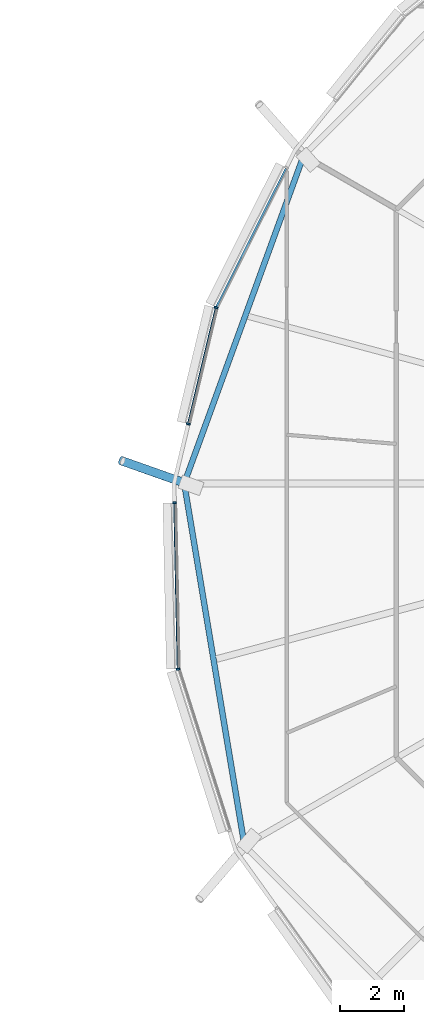
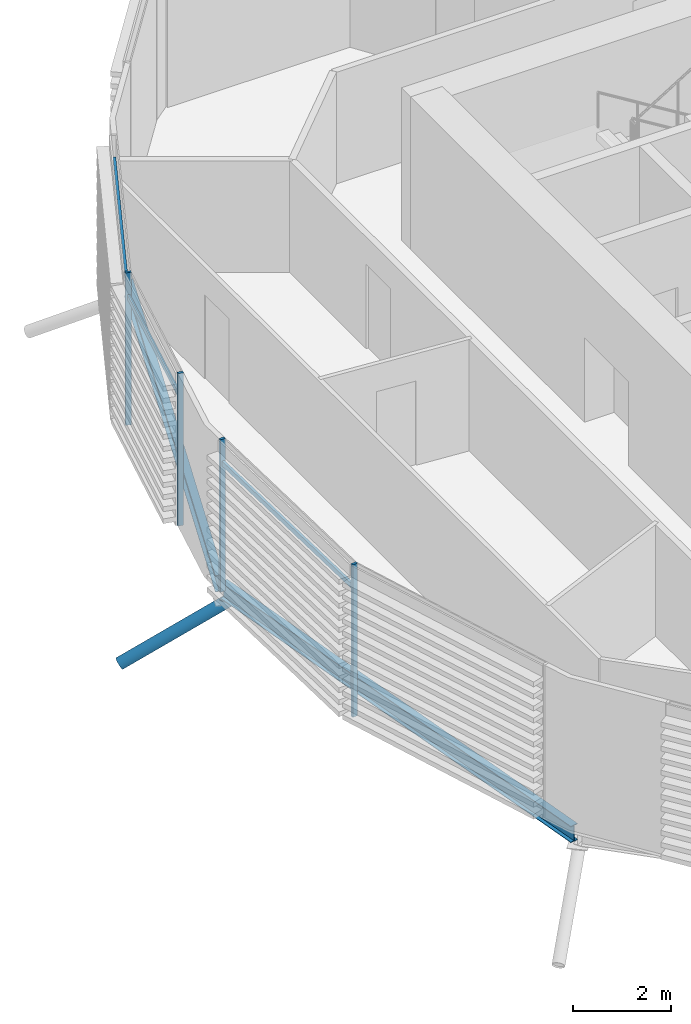
# One storey, part 9 of 38: 8 members, 2 beams, 1 element without a shape of its own.
"""IFC4 building model written with IfcOpenShell, lengths in metres."""

import ifcopenshell
import ifcopenshell.guid

model = None  # the IFC model being written
_history = None  # IfcOwnerHistory: only IFC2X3 demands one
_inside = {}  # id of a spatial element -> (the spatial element, [elements in it])
_under = {}  # id of a project, library or spatial element -> (it, [spatial elements below it])
_declared = {}  # id of a project -> (the project, [libraries it declares])
_typed = {}  # id of a type object -> (the type object, [elements of that type])
_made_of = {}  # id of a material, layer set ... -> (it, [elements and type objects made of it])


def new_model(schema):
    """Start an empty IFC model of exactly this schema.

    Asked for "IFC4X3", IfcOpenShell would pick the latest addendum, in which some entities
    have other attributes; the version numbers below select the first issue.
    IFC2X3 requires an IfcOwnerHistory on every rooted entity: one is made here for all.
    """
    global model, _history
    if schema == "IFC4X3":
        model = ifcopenshell.file(schema_version=(4, 3, 0, 0))
    else:
        model = ifcopenshell.file(schema=schema)
    _inside.clear()
    _under.clear()
    _declared.clear()
    _typed.clear()
    _made_of.clear()
    _history = None
    if model.schema == "IFC2X3":
        org = make("IfcOrganization", Name="unknown")
        user = make(
            "IfcPersonAndOrganization",
            ThePerson=make("IfcPerson", FamilyName="unknown"),
            TheOrganization=org,
        )
        app = make(
            "IfcApplication",
            ApplicationDeveloper=org,
            Version="unknown",
            ApplicationFullName="unknown",
            ApplicationIdentifier="unknown",
        )
        _history = make(
            "IfcOwnerHistory",
            OwningUser=user,
            OwningApplication=app,
            ChangeAction="ADDED",
            CreationDate=0,
        )
    return model


def make(cls, **values):
    """One entity of the class cls with the attributes given. An attribute that is None is left unset."""
    return model.create_entity(
        cls, **{name: value for name, value in values.items() if value is not None}
    )


def rooted(cls, **values):
    """An entity with a GlobalId (a new one), such as an element, a storey or a relation."""
    return make(cls, GlobalId=ifcopenshell.guid.new(), OwnerHistory=_history, **values)


def si_unit(unit_type, name, prefix=None):
    """IfcSIUnit, for example si_unit("LENGTHUNIT", "METRE", prefix="MILLI")."""
    return make("IfcSIUnit", UnitType=unit_type, Prefix=prefix, Name=name)


def assignment(units):
    """IfcUnitAssignment: the units of a project."""
    return None if units is None else make("IfcUnitAssignment", Units=units)


def point(xyz):
    """IfcCartesianPoint."""
    return None if xyz is None else make("IfcCartesianPoint", Coordinates=xyz)


def direction(xyz):
    """IfcDirection."""
    return None if xyz is None else make("IfcDirection", DirectionRatios=xyz)


def frame(location, z_axis=None, x_axis=None):
    """IfcAxis2Placement3D, a coordinate frame: its origin and axes. An axis left out is left unset."""
    return make(
        "IfcAxis2Placement3D",
        Location=point(location),
        Axis=direction(z_axis),
        RefDirection=direction(x_axis),
    )


def frame_2d(location, x_axis=None):
    """IfcAxis2Placement2D, a coordinate frame in the plane: its origin and x axis."""
    return make(
        "IfcAxis2Placement2D", Location=point(location), RefDirection=direction(x_axis)
    )


def origin():
    """The frame at (0, 0, 0) with its axes left unset."""
    return frame((0.0, 0.0, 0.0))


def origin_2d():
    """The frame at (0, 0) in the plane with its x axis left unset."""
    return frame_2d((0.0, 0.0))


def place(relative_to, where):
    """IfcLocalPlacement: puts the frame where relative to a parent placement (None: the world)."""
    return make(
        "IfcLocalPlacement", PlacementRelTo=relative_to, RelativePlacement=where
    )


def context(
    kind, dimensions, precision=None, world=None, true_north=None, identifier=None
):
    """IfcGeometricRepresentationContext, for example the 3D "Model" context."""
    return make(
        "IfcGeometricRepresentationContext",
        ContextIdentifier=identifier,
        ContextType=kind,
        CoordinateSpaceDimension=dimensions,
        Precision=precision,
        WorldCoordinateSystem=world,
        TrueNorth=true_north,
    )


def subcontext(parent, identifier, kind, view, scale=None):
    """IfcGeometricRepresentationSubContext, for example "Body" below "Model"."""
    return make(
        "IfcGeometricRepresentationSubContext",
        ContextIdentifier=identifier,
        ContextType=kind,
        ParentContext=parent,
        TargetScale=scale,
        TargetView=view,
    )


def project(units=None, contexts=None):
    """IfcProject with its units and contexts."""
    return rooted(
        "IfcProject",
        Name="project",
        RepresentationContexts=contexts,
        UnitsInContext=assignment(units),
    )


def spatial(cls, under=None, at=None, **own):
    """A site, building, storey or space (cls), placed at a placement, below another one or the project."""
    s = rooted(cls, ObjectPlacement=at, **own)
    if under is not None:
        _under.setdefault(under.id(), (under, []))[1].append(s)
    return s


def profile(cls, at=None, kind="AREA", **sizes):
    """A parametric profile (cls). Its sizes go by their IFC names, for example OverallWidth=200.0."""
    return make(cls, ProfileType=kind, Position=at, **sizes)


def rectangle(**sizes):
    """IfcRectangleProfileDef."""
    return profile("IfcRectangleProfileDef", **sizes)


def hollow_circle(**sizes):
    """IfcCircleHollowProfileDef."""
    return profile("IfcCircleHollowProfileDef", **sizes)


def i_section(**sizes):
    """IfcIShapeProfileDef."""
    return profile("IfcIShapeProfileDef", **sizes)


def extrude(swept, where, along, depth):
    """IfcExtrudedAreaSolid: the profile swept, set in the frame where, extruded along a direction by depth."""
    return make(
        "IfcExtrudedAreaSolid",
        SweptArea=swept,
        Position=where,
        ExtrudedDirection=direction(along),
        Depth=depth,
    )


def clip(a, b, op="DIFFERENCE"):
    """IfcBooleanClippingResult: the solid a cut by the half space b."""
    return make(
        "IfcBooleanClippingResult", Operator=op, FirstOperand=a, SecondOperand=b
    )


def halfspace(plane, agree):
    """IfcHalfSpaceSolid: all space on one side of the plane z = 0 of the frame plane."""
    return make(
        "IfcHalfSpaceSolid",
        BaseSurface=make("IfcPlane", Position=plane),
        AgreementFlag=agree,
    )


def shape(context_of_items, identifier, shape_type, items):
    """IfcShapeRepresentation: the items that make up one representation, for example the "Body"."""
    return make(
        "IfcShapeRepresentation",
        ContextOfItems=context_of_items,
        RepresentationIdentifier=identifier,
        RepresentationType=shape_type,
        Items=items,
    )


def material(Name=None, Category=None):
    """IfcMaterial."""
    return make("IfcMaterial", Name=Name, Category=Category)


def material_profile(
    of_material, cross_section, Name=None, Category=None, Priority=None
):
    """IfcMaterialProfile: a cross section and its material."""
    return make(
        "IfcMaterialProfile",
        Name=Name,
        Material=of_material,
        Profile=cross_section,
        Priority=Priority,
        Category=Category,
    )


def profile_set(profiles, Name=None, composite=None):
    """IfcMaterialProfileSet."""
    return make(
        "IfcMaterialProfileSet",
        Name=Name,
        MaterialProfiles=profiles,
        CompositeProfile=composite,
    )


def made_of(thing, what):
    """Note that an element or type object is made of a material, layer set ...; save() writes the relation."""
    if what is not None:
        _made_of.setdefault(what.id(), (what, []))[1].append(thing)
    return thing


def type_object(cls, material=None, **own):
    """A type object (cls), such as IfcWallType, which elements share."""
    return made_of(rooted(cls, **own), material)


def element(
    cls,
    number,
    at=None,
    inside=None,
    cuts=None,
    type_object=None,
    material=None,
    context=None,
    identifier="Body",
    shape_type=None,
    held_by="IfcProductDefinitionShape",
    body=None,
    shapes=None,
    **own,
):
    """One element of the class cls, such as IfcWall. Its Tag is "e" and its number.

    at: its placement. inside: the storey or other place that contains it. cuts: it is an
    opening in that element (IfcRelVoidsElement). A single representation is given by context,
    identifier, shape_type and body (its items); several are given by shapes. held_by: the class
    of the entity that holds the representations. save() writes the other relations.
    """
    e = rooted(cls, Tag="e%d" % number, ObjectPlacement=at, **own)
    if body is not None:
        shapes = [shape(context, identifier, shape_type, body)]
    if shapes is not None:
        e.Representation = make(held_by, Representations=shapes)
    if inside is not None:
        _inside.setdefault(inside.id(), (inside, []))[1].append(e)
    if cuts is not None:
        rooted(
            "IfcRelVoidsElement", RelatingBuildingElement=cuts, RelatedOpeningElement=e
        )
    if type_object is not None:
        _typed.setdefault(type_object.id(), (type_object, []))[1].append(e)
    return made_of(e, material)


def aggregate(whole, parts):
    """IfcRelAggregates: a whole, such as a stair, and the parts it consists of."""
    return rooted("IfcRelAggregates", RelatingObject=whole, RelatedObjects=parts)


def save(model, path):
    """Write the relations noted so far, then the file.

    IfcRelAggregates (storeys below a building ...), IfcRelContainedInSpatialStructure (elements
    in a storey), IfcRelDefinesByType, IfcRelAssociatesMaterial and IfcRelDeclares: one each for
    every whole, place, type object, material and project.
    """
    for whole, parts in _under.values():
        aggregate(whole, parts)
    for where, things in _inside.values():
        rooted(
            "IfcRelContainedInSpatialStructure",
            RelatedElements=things,
            RelatingStructure=where,
        )
    for kind, things in _typed.values():
        rooted("IfcRelDefinesByType", RelatedObjects=things, RelatingType=kind)
    for what, things in _made_of.values():
        rooted("IfcRelAssociatesMaterial", RelatedObjects=things, RelatingMaterial=what)
    for by, libraries in _declared.values():
        rooted("IfcRelDeclares", RelatingContext=by, RelatedDefinitions=libraries)
    model.write(path)


model = new_model("IFC4")

# Units and contexts
model_context = context("Model", 3, precision=1e-05, world=origin(), true_north=direction((0.0, 1.0)))
body_context = subcontext(model_context, "Body", "Model", "MODEL_VIEW")
ifc_project = project(units=[si_unit("LENGTHUNIT", "METRE"), si_unit("AREAUNIT", "SQUARE_METRE"), si_unit("VOLUMEUNIT", "CUBIC_METRE"), si_unit("PLANEANGLEUNIT", "RADIAN"), si_unit("MASSUNIT", "GRAM", prefix="KILO")], contexts=[model_context])

# Site, building, storey
site_placement = place(None, origin())
site = spatial("IfcSite", under=ifc_project, at=site_placement, CompositionType="ELEMENT")
building_placement = place(site_placement, origin())
building = spatial("IfcBuilding", under=site, at=building_placement, Name="Rimbun Link Towers", CompositionType="ELEMENT")
storey_placement = place(building_placement, frame((0.0, 0.0, 119.60009765625)))
storey = spatial("IfcBuildingStorey", under=building, at=storey_placement, Name="L29", CompositionType="ELEMENT", Elevation=119.60009765625)

# Curtain wall, members
ifc_material_1 = material(Name="Aluminium 6063-T6 and low-iron glass", Category="aluminium")
curtain_wall_type = type_object("IfcCurtainWallType", Name="CW1-Z2 unitised vision wall (zone 2)", PredefinedType="NOTDEFINED", material=ifc_material_1)
curtain_wall_placement = place(storey_placement, origin())
curtain_wall = element("IfcCurtainWall", 1, at=curtain_wall_placement, inside=storey, type_object=curtain_wall_type, Name="CW1 L29 T2", PredefinedType="NOTDEFINED")
ifc_material_2 = material(Name="Aluminium 6063-T6", Category="aluminium")
ifc_material_profile_1 = material_profile(ifc_material_2, rectangle(XDim=0.1201171875, YDim=0.06005859375, at=origin_2d()), Name="MULLION 60X120")
ifc_profile_set_1 = profile_set([ifc_material_profile_1], Name="Aluminium 6063-T6")
member_type_1 = type_object("IfcMemberType", Name="CW1 mullion 60X120", PredefinedType="MULLION", material=ifc_profile_set_1)
member_1_placement = place(storey_placement, frame((11.27197265625, 5.49267578125, 0.0), z_axis=(0.0, 0.0, 1.0), x_axis=(-0.939344696127, 0.342974549868, 0.0)))
member_1 = element("IfcMember", 2, at=member_1_placement, type_object=member_type_1, Name="CW1 mullion", PredefinedType="MULLION", context=body_context, shape_type="SweptSolid", body=[
    extrude(rectangle(XDim=0.1201171875, YDim=0.06005859375, at=origin_2d()), origin(), (0.0, 0.0, 1.0), 3.7998046875),
])
member_2_placement = place(storey_placement, frame((10.4033203125, 1.86181640625, 0.0), z_axis=(0.0, 0.0, 1.0), x_axis=(-0.972571724543, 0.232603182737, 0.0)))
member_2 = element("IfcMember", 3, at=member_2_placement, type_object=member_type_1, Name="CW1 mullion", PredefinedType="MULLION", context=body_context, shape_type="SweptSolid", body=[
    extrude(rectangle(XDim=0.1201171875, YDim=0.06005859375, at=origin_2d()), origin(), (0.0, 0.0, 1.0), 3.7998046875),
])
member_3_placement = place(storey_placement, frame((10.08251953125, -5.7998046875, 0.0), z_axis=(0.0, 0.0, 1.0), x_axis=(-0.98650165311, -0.163751300484, 0.0)))
member_3 = element("IfcMember", 4, at=member_3_placement, type_object=member_type_1, Name="CW1 mullion", PredefinedType="MULLION", context=body_context, shape_type="SweptSolid", body=[
    extrude(rectangle(XDim=0.1201171875, YDim=0.06005859375, at=origin_2d()), origin(), (0.0, 0.0, 1.0), 3.7998046875),
])
member_4_placement = place(storey_placement, frame((9.972412109375, -0.60107421875, 0.0), z_axis=(0.0, 0.0, 1.0), x_axis=(-0.999778076675, -0.02106649948, 0.0)))
member_4 = element("IfcMember", 5, at=member_4_placement, type_object=member_type_1, Name="CW1 mullion", PredefinedType="MULLION", context=body_context, shape_type="SweptSolid", body=[
    extrude(rectangle(XDim=0.1201171875, YDim=0.06005859375, at=origin_2d()), origin(), (0.0, 0.0, 1.0), 3.7998046875),
])
ifc_material_3 = material(Name="Aluminium 6063-T6", Category="aluminium")
ifc_material_profile_2 = material_profile(ifc_material_3, rectangle(XDim=0.06005859375, YDim=0.1201171875, at=origin_2d()), Name="TRANSOM 60X120")
ifc_profile_set_2 = profile_set([ifc_material_profile_2], Name="Aluminium 6063-T6")
member_type_2 = type_object("IfcMemberType", Name="CW1 transom 60X120", PredefinedType="USERDEFINED", material=ifc_profile_set_2)
member_5_placement = place(storey_placement, frame((11.2900390625, 5.52490234375, 3.199951171875), z_axis=(0.44877263084, 0.893645973419, 0.0), x_axis=(-0.893645973419, 0.44877263084, 0.0)))
member_5 = element("IfcMember", 6, at=member_5_placement, type_object=member_type_2, Name="CW1 transom", ObjectType="TRANSOM", PredefinedType="USERDEFINED", context=body_context, shape_type="SweptSolid", body=[
    extrude(rectangle(XDim=0.06005859375, YDim=0.1201171875, at=origin_2d()), origin(), (0.0, 0.0, 1.0), 4.821044921875),
])
member_6_placement = place(storey_placement, frame((10.412109375, 1.890625, 3.199951171875), z_axis=(0.232604707954, 0.972571359766, 0.0), x_axis=(-0.972571359766, 0.232604707954, 0.0)))
member_6 = element("IfcMember", 7, at=member_6_placement, type_object=member_type_2, Name="CW1 transom", ObjectType="TRANSOM", PredefinedType="USERDEFINED", context=body_context, shape_type="SweptSolid", body=[
    extrude(rectangle(XDim=0.06005859375, YDim=0.1201171875, at=origin_2d()), origin(), (0.0, 0.0, 1.0), 3.666259765625),
])
member_7_placement = place(storey_placement, frame((10.0830078125, -5.76123046875, 3.199951171875), z_axis=(-0.02102994575, 0.999778846236, 0.0), x_axis=(-0.999778846236, -0.02102994575, 0.0)))
member_7 = element("IfcMember", 8, at=member_7_placement, type_object=member_type_2, Name="CW1 transom", ObjectType="TRANSOM", PredefinedType="USERDEFINED", context=body_context, shape_type="SweptSolid", body=[
    extrude(rectangle(XDim=0.06005859375, YDim=0.1201171875, at=origin_2d()), origin(), (0.0, 0.0, 1.0), 5.13134765625),
])
aggregate(curtain_wall, [member_1, member_2, member_3, member_4, member_5, member_6, member_7])

# Member
ifc_material_4 = material(Name="Steel S355J2H", Category="steel")
ifc_material_profile_3 = material_profile(ifc_material_4, hollow_circle(Radius=0.136474609375, WallThickness=0.012451171875, at=origin_2d()), Name="CHS 273x12.5")
ifc_profile_set_3 = profile_set([ifc_material_profile_3], Name="Steel S355J2H")
member_type_3 = type_object("IfcMemberType", Name="Floor edge link CHS 273x12.5", PredefinedType="BRACE", material=ifc_profile_set_3)
member_8_placement = place(storey_placement, frame((10.326904296875, 0.0, -0.8115234375), z_axis=(-0.820154491264, 0.289996641209, -0.493202350509), x_axis=(-0.333362189151, -0.942798839013, 0.0)))
element("IfcMember", 9, at=member_8_placement, inside=storey, type_object=member_type_3, Name="Floor edge link T2 L29 09", PredefinedType="BRACE", context=body_context, shape_type="Clipping", body=[
    clip(extrude(hollow_circle(Radius=0.136474609375, WallThickness=0.012451171875, at=origin_2d()), frame((0.0, 0.0, -0.501708984375)), (0.0, 0.0, 1.0), 2.9658203125), halfspace(frame((0.0, 0.0, -0.23583984375), z_axis=(0.0, 0.869914617335, -0.493202350509)), False)),
])

# Beams
ifc_material_5 = material(Name="Steel S355J2", Category="steel")
ifc_material_profile_4 = material_profile(ifc_material_5, i_section(OverallWidth=0.177978515625, OverallDepth=0.406494140625, WebThickness=0.0078125, FlangeThickness=0.0126953125, at=origin_2d()), Name="UB 406x178x60")
ifc_profile_set_4 = profile_set([ifc_material_profile_4], Name="Steel S355J2")
beam_type = type_object("IfcBeamType", Name="UB 406x178x60", PredefinedType="BEAM", material=ifc_profile_set_4)
beam_1_placement = place(storey_placement, frame((13.977294921875, 10.160888671875, -0.36328125), z_axis=(-0.342211959169, -0.939622783356, 0.0), x_axis=(0.939622783356, -0.342211959169, 0.0)))
element("IfcBeam", 10, at=beam_1_placement, inside=storey, type_object=beam_type, Name="Edge beam T2 L29 07-09", PredefinedType="BEAM", context=body_context, shape_type="SweptSolid", body=[
    extrude(i_section(OverallWidth=0.177978515625, OverallDepth=0.406494140625, WebThickness=0.0078125, FlangeThickness=0.0126953125, at=origin_2d()), origin(), (0.0, 0.0, 1.0), 10.701171875),
])
beam_2_placement = place(storey_placement, frame((10.294189453125, -0.105712890625, -0.36328125), z_axis=(0.164226647756, -0.986422631617, 0.0), x_axis=(0.986422631617, 0.164226647756, 0.0)))
element("IfcBeam", 11, at=beam_2_placement, inside=storey, type_object=beam_type, Name="Edge beam T2 L29 09-11", PredefinedType="BEAM", context=body_context, shape_type="SweptSolid", body=[
    extrude(i_section(OverallWidth=0.177978515625, OverallDepth=0.406494140625, WebThickness=0.0078125, FlangeThickness=0.0126953125, at=origin_2d()), origin(), (0.0, 0.0, 1.0), 11.256591796875),
])

save(model, "model.ifc")
